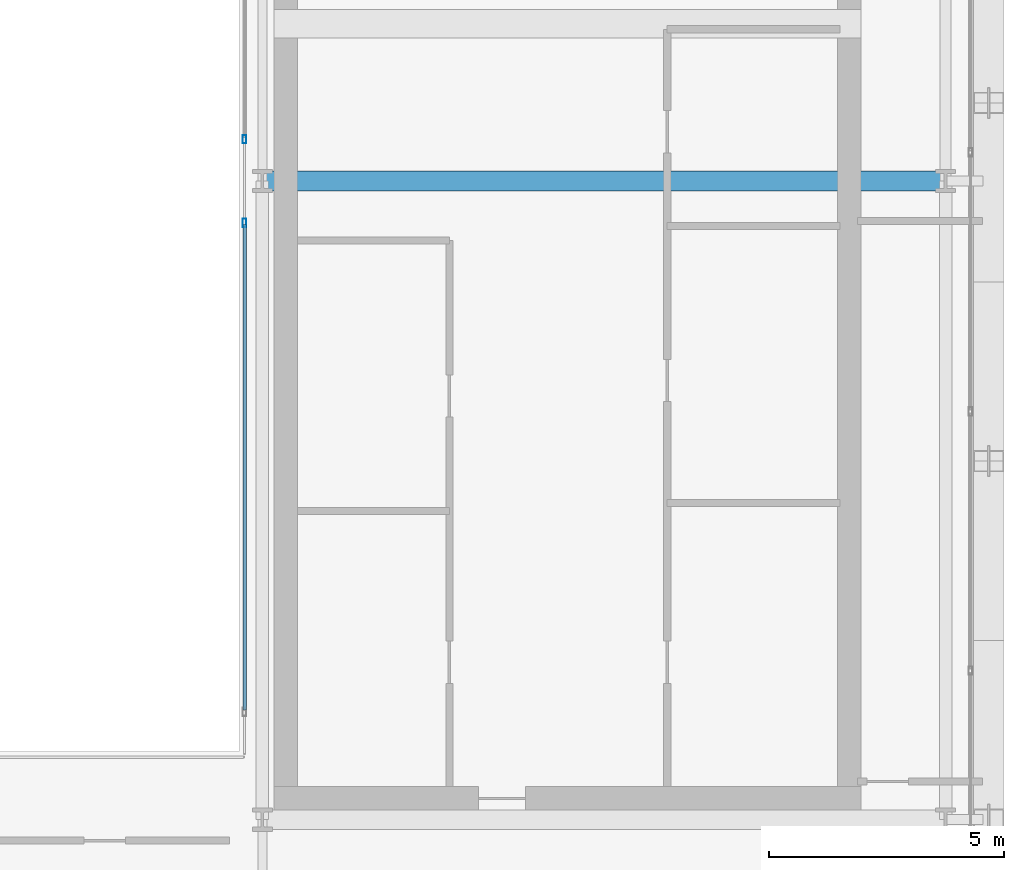
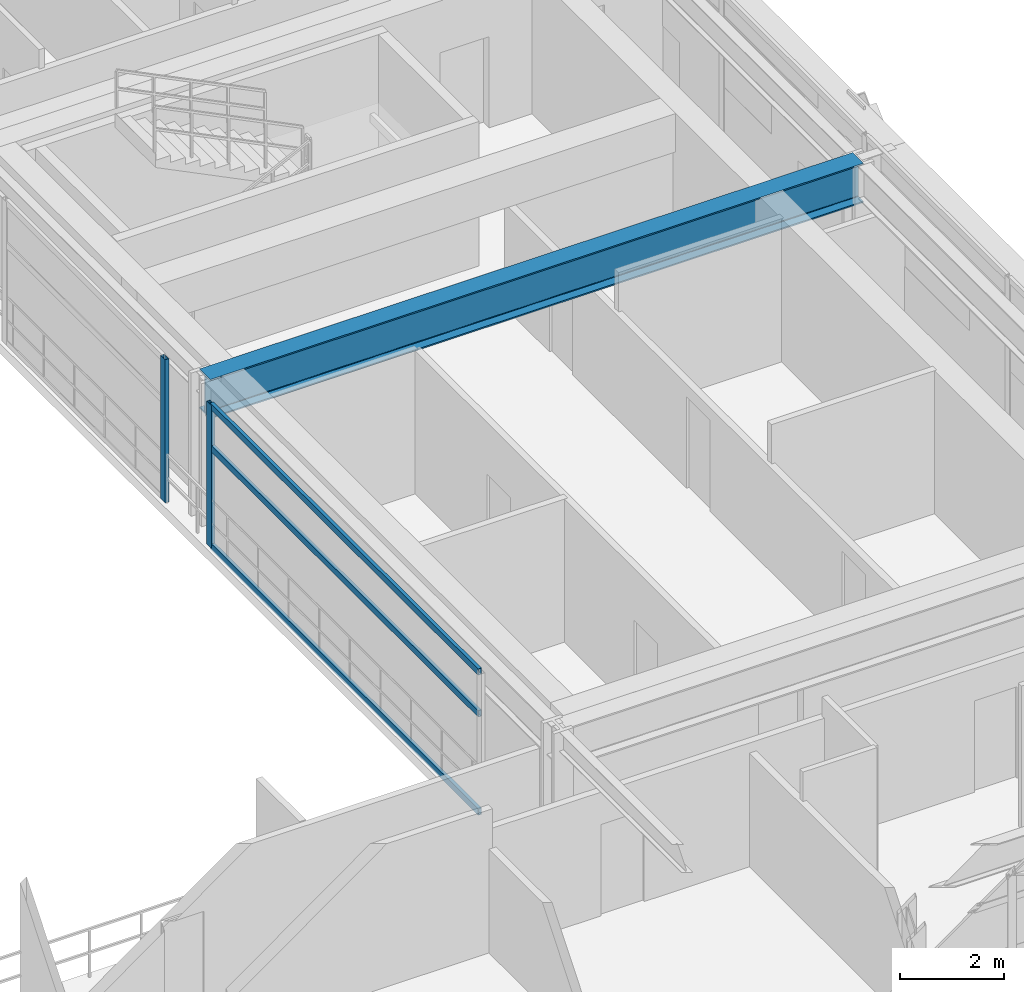
# One storey, part 16 of 37: 5 members, 1 beam, 2 elements without a shape of their own.
"""IFC4 building model written with IfcOpenShell, lengths in metres."""

from ifc_helpers import new_model, si_unit, direction, frame, origin, origin_2d, place, context, subcontext, project, spatial, hollow_rectangle, i_section, extrude, source, transform, mapped, material, layer, layer_set, material_profile, profile_set, type_object, element, aggregate, save


model = new_model("IFC4")

# Units and contexts
model_context = context("Model", 3, precision=1e-05, world=origin(), true_north=direction((0.0, 1.0)))
body_context = subcontext(model_context, "Body", "Model", "MODEL_VIEW")
ifc_project = project(units=[si_unit("LENGTHUNIT", "METRE"), si_unit("AREAUNIT", "SQUARE_METRE"), si_unit("VOLUMEUNIT", "CUBIC_METRE"), si_unit("PLANEANGLEUNIT", "RADIAN"), si_unit("MASSUNIT", "GRAM", prefix="KILO")], contexts=[model_context])

# Site, building, storey
site_placement = place(None, origin())
site = spatial("IfcSite", under=ifc_project, at=site_placement, CompositionType="ELEMENT")
building_placement = place(site_placement, origin())
building = spatial("IfcBuilding", under=site, at=building_placement, Name="Ocotamira Hotel", CompositionType="ELEMENT")
storey_placement = place(building_placement, frame((0.0, 0.0, 192.0)))
storey = spatial("IfcBuildingStorey", under=building, at=storey_placement, Name="L48", CompositionType="ELEMENT", Elevation=192.0)

# Beam
ifc_material_1 = material(Name="Steel ASTM A992 Grade 50", Category="steel")
ifc_material_profile_1 = material_profile(ifc_material_1, i_section(OverallWidth=0.41796875, OverallDepth=0.927001953125, WebThickness=0.019287109375, FlangeThickness=0.031982421875, FilletRadius=0.02392578125, at=origin_2d()), Name="W36X231")
ifc_profile_set_1 = profile_set([ifc_material_profile_1], Name="Steel ASTM A992 Grade 50")
beam_type = type_object("IfcBeamType", Name="BM-GIRD-W36X231", PredefinedType="BEAM", material=ifc_profile_set_1)
shared_shape_1 = source(origin(), body_context, "Body", "SweptSolid", [
    extrude(i_section(OverallWidth=0.41796875, OverallDepth=0.927001953125, WebThickness=0.019287109375, FlangeThickness=0.031982421875, FilletRadius=0.02392578125, at=origin_2d()), origin(), (0.0, 0.0, 1.0), 14.550048828125),
])
beam_placement = place(storey_placement, frame((40.5, 28.14990234375, 2.906494140625), z_axis=(1.0, 0.0, 0.0), x_axis=(0.0, 1.0, 0.0)))
element("IfcBeam", 1, at=beam_placement, inside=storey, type_object=beam_type, Name="L48 Girder Y28.15 X40.5-55.05", PredefinedType="BEAM", context=body_context, shape_type="MappedRepresentation", body=[
    mapped(shared_shape_1, transform((0.0, 0.0, 0.0), scale=1.0)),
])

# Curtain wall, member
ifc_material_2 = material(Name="Anodised pale-metal aluminium and solar glass", Category="aluminium")
ifc_layer = layer(ifc_material_2, 0.159912109375)
ifc_layer_set = layer_set([ifc_layer], Name="Anodised pale-metal aluminium and solar glass")
curtain_wall_type = type_object("IfcCurtainWallType", Name="CW-SYS6-ATR", PredefinedType="NOTDEFINED", material=ifc_layer_set)
curtain_wall_1_placement = place(storey_placement, origin())
curtain_wall_1 = element("IfcCurtainWall", 2, at=curtain_wall_1_placement, inside=storey, type_object=curtain_wall_type, Name="L48 Curtain Wall CW-6 CW-L48-ATRE1", PredefinedType="NOTDEFINED")
ifc_material_3 = material(Name="Anodised pale-metal aluminium 6063-T6", Category="aluminium")
ifc_material_profile_2 = material_profile(ifc_material_3, hollow_rectangle(XDim=0.080078125, YDim=0.179931640625, WallThickness=0.006103515625, at=origin_2d()), Name="HSS180X80X6")
ifc_profile_set_2 = profile_set([ifc_material_profile_2], Name="Anodised pale-metal aluminium 6063-T6")
member_type_1 = type_object("IfcMemberType", Name="CWM-180X75", PredefinedType="MULLION", material=ifc_profile_set_2)
shared_shape_2 = source(origin(), body_context, "Body", "SweptSolid", [
    extrude(hollow_rectangle(XDim=0.080078125, YDim=0.179931640625, WallThickness=0.006103515625, at=origin_2d()), origin(), (0.0, 0.0, 1.0), 3.3701171875),
])
member_1_placement = place(storey_placement, frame((40.1201171875, 27.260009765625, 0.0), z_axis=(0.0, 0.0, 1.0), x_axis=(-1.0, 0.0, 0.0)))
member_1 = element("IfcMember", 3, at=member_1_placement, type_object=member_type_1, Name="CW-6 mullion 2", PredefinedType="MULLION", context=body_context, shape_type="MappedRepresentation", body=[
    mapped(shared_shape_2, transform((0.0, 0.0, 0.0), scale=1.0)),
])

curtain_wall_2_placement = place(storey_placement, origin())
curtain_wall_2 = element("IfcCurtainWall", 4, at=curtain_wall_2_placement, inside=storey, type_object=curtain_wall_type, Name="L48 Curtain Wall CW-6 CW-L48-ATRE2", PredefinedType="NOTDEFINED")
member_2_placement = place(storey_placement, frame((40.1201171875, 29.0400390625, 0.0), z_axis=(0.0, 0.0, 1.0), x_axis=(-1.0, 0.0, 0.0)))
member_2 = element("IfcMember", 5, at=member_2_placement, type_object=member_type_1, Name="CW-6 mullion 1", PredefinedType="MULLION", context=body_context, shape_type="MappedRepresentation", body=[
    mapped(shared_shape_2, transform((0.0, 0.0, 0.0), scale=1.0)),
])
aggregate(curtain_wall_2, [member_2])

# Member
ifc_material_profile_3 = material_profile(ifc_material_3, hollow_rectangle(XDim=0.074951171875, YDim=0.14990234375, WallThickness=0.006103515625, at=origin_2d()), Name="HSS150X75X6")
ifc_profile_set_3 = profile_set([ifc_material_profile_3], Name="Anodised pale-metal aluminium 6063-T6")
member_type_2 = type_object("IfcMemberType", Name="CWT-150X75", PredefinedType="USERDEFINED", material=ifc_profile_set_3)
shared_shape_3 = source(origin(), body_context, "Body", "SweptSolid", [
    extrude(hollow_rectangle(XDim=0.074951171875, YDim=0.14990234375, WallThickness=0.006103515625, at=origin_2d()), origin(), (0.0, 0.0, 1.0), 10.340087890625),
])
member_3_placement = place(storey_placement, frame((40.1201171875, 16.8798828125, 0.03759765625), z_axis=(0.0, 1.0, 0.0), x_axis=(-1.0, 0.0, 0.0)))
member_3 = element("IfcMember", 6, at=member_3_placement, type_object=member_type_2, Name="CW-6 transom 1.1", ObjectType="TRANSOM", PredefinedType="USERDEFINED", context=body_context, shape_type="MappedRepresentation", body=[
    mapped(shared_shape_3, transform((0.0, 0.0, 0.0), scale=1.0)),
])

member_4_placement = place(storey_placement, frame((40.1201171875, 16.8798828125, 2.35009765625), z_axis=(0.0, 1.0, 0.0), x_axis=(-1.0, 0.0, 0.0)))
member_4 = element("IfcMember", 7, at=member_4_placement, type_object=member_type_2, Name="CW-6 transom 1.2", ObjectType="TRANSOM", PredefinedType="USERDEFINED", context=body_context, shape_type="MappedRepresentation", body=[
    mapped(shared_shape_3, transform((0.0, 0.0, 0.0), scale=1.0)),
])

member_5_placement = place(storey_placement, frame((40.1201171875, 16.8798828125, 3.33251953125), z_axis=(0.0, 1.0, 0.0), x_axis=(-1.0, 0.0, 0.0)))
member_5 = element("IfcMember", 8, at=member_5_placement, type_object=member_type_2, Name="CW-6 transom 1.3", ObjectType="TRANSOM", PredefinedType="USERDEFINED", context=body_context, shape_type="MappedRepresentation", body=[
    mapped(shared_shape_3, transform((0.0, 0.0, 0.0), scale=1.0)),
])

aggregate(curtain_wall_1, [member_1, member_3, member_4, member_5])

save(model, "model.ifc")
